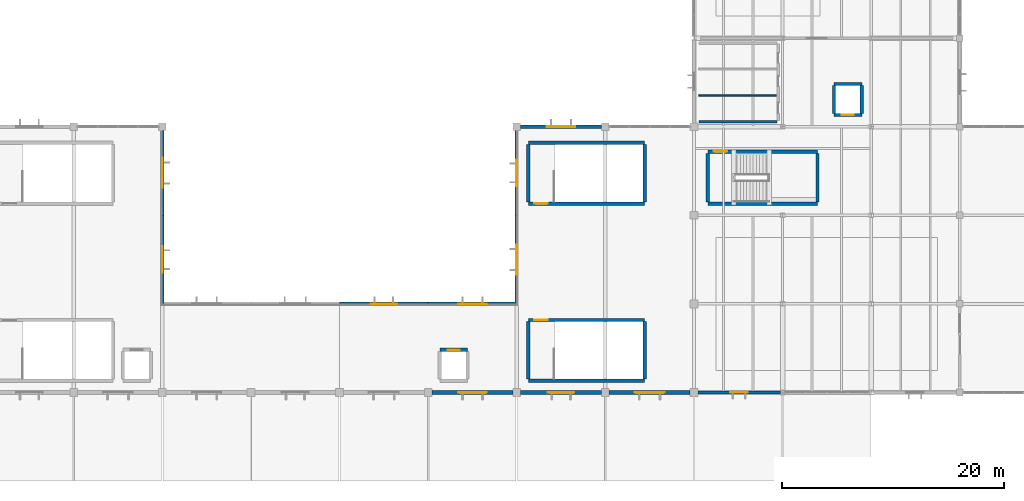
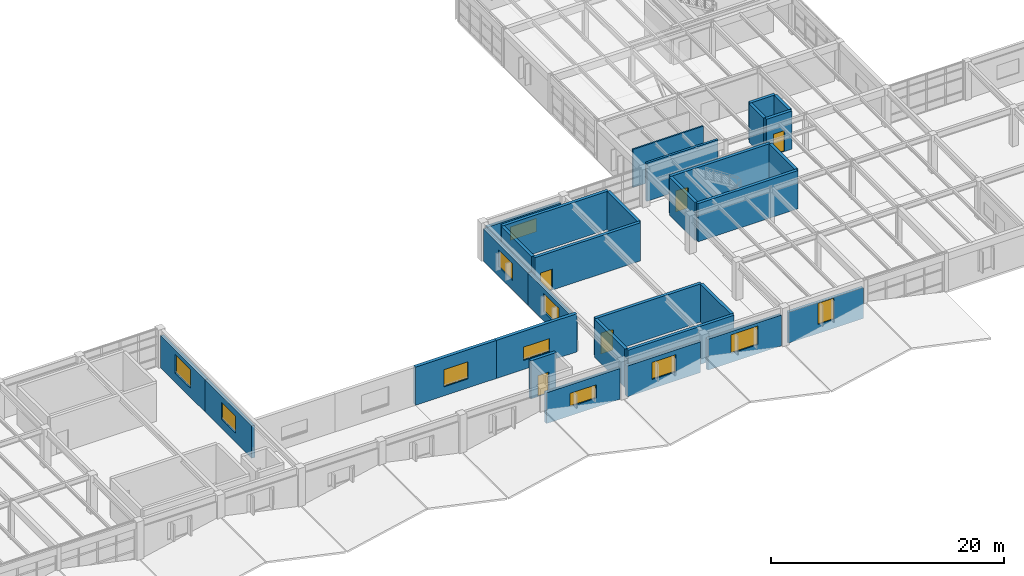
# One storey, part 40 of 48: 30 walls, 11 windows, 5 doors, 16 openings.
"""IFC4 building model written with IfcOpenShell, lengths in metres."""

from ifc_helpers import new_model, si_unit, direction, frame, frame_2d, origin, place, context, subcontext, project, spatial, rectangle, extrude, material, layer, layer_set, type_object, element, fill, save


model = new_model("IFC4")

# Units and contexts
model_context = context("Model", 3, precision=1e-05, world=origin(), true_north=direction((0.0, 1.0)))
body_context = subcontext(model_context, "Body", "Model", "MODEL_VIEW")
ifc_project = project(units=[si_unit("LENGTHUNIT", "METRE"), si_unit("AREAUNIT", "SQUARE_METRE"), si_unit("VOLUMEUNIT", "CUBIC_METRE"), si_unit("PLANEANGLEUNIT", "RADIAN"), si_unit("MASSUNIT", "GRAM", prefix="KILO")], contexts=[model_context])

# Site, building, storey
site_placement = place(None, origin())
site = spatial("IfcSite", under=ifc_project, at=site_placement, CompositionType="ELEMENT")
building_placement = place(site_placement, origin())
building = spatial("IfcBuilding", under=site, at=building_placement, Name="Varnela Railside Interchange", CompositionType="ELEMENT")
storey_placement = place(building_placement, frame((0.0, 0.0, 11.199951171875)))
storey = spatial("IfcBuildingStorey", under=building, at=storey_placement, Name="L02", CompositionType="ELEMENT", Elevation=11.199951171875)

# Wall
ifc_material_1 = material(Name="Gypsum acoustic board")
ifc_layer_1 = layer(ifc_material_1, 0.14990234375)
ifc_layer_set_1 = layer_set([ifc_layer_1], Name="Gypsum acoustic board")
wall_type_1 = type_object("IfcWallType", Name="Acoustic Drywall Partition IW-01", PredefinedType="PARTITIONING", material=ifc_layer_set_1)
wall_1_placement = place(storey_placement, frame((116.449951171875, 64.800048828125, 0.0), z_axis=(0.0, 0.0, 1.0), x_axis=(1.0, 0.0, 0.0)))
element("IfcWall", 1, at=wall_1_placement, inside=storey, type_object=wall_type_1, Name="Acoustic Drywall Partition IW-01 (L02) (WL-0702)", PredefinedType="PARTITIONING", context=body_context, shape_type="SweptSolid", body=[
    extrude(rectangle(XDim=7.0, YDim=0.14990234375, at=frame_2d((3.5, 0.0))), origin(), (0.0, 0.0, 1.0), 4.0),
])

# Wall, opening, window
ifc_material_2 = material(Name="Concrete C40 precast", Category="concrete")
ifc_layer_2 = layer(ifc_material_2, 0.320068359375)
ifc_layer_set_2 = layer_set([ifc_layer_2], Name="Concrete C40 precast")
wall_type_2 = type_object("IfcWallType", Name="Board-Formed Concrete Facade Wall EW-01", PredefinedType="STANDARD", material=ifc_layer_set_2)
wall_2_placement = place(storey_placement, frame((68.0, 61.64990234375, 0.0), z_axis=(0.0, 0.0, 1.0), x_axis=(0.0, -1.0, 0.0)))
wall_2 = element("IfcWall", 2, at=wall_2_placement, inside=storey, type_object=wall_type_2, Name="Board-Formed Concrete Facade Wall EW-01 (L02) (WL-0658)", PredefinedType="STANDARD", context=body_context, shape_type="SweptSolid", body=[
    extrude(rectangle(XDim=7.64990234375, YDim=0.320068359375, at=frame_2d((3.824951171875, 0.0))), origin(), (0.0, 0.0, 1.0), 3.38916015625),
])
opening_1_placement = place(wall_2_placement, frame((2.47509765625, 0.0, 0.949951171875)))
opening_1 = element("IfcOpeningElement", 3, at=opening_1_placement, cuts=wall_2, Name="Opening W-066", PredefinedType="OPENING", context=body_context, shape_type="SweptSolid", body=[
    extrude(rectangle(XDim=2.699951171875, YDim=1.949951171875, at=frame_2d((1.35009765625, 0.97509765625))), frame((0.0, 0.169921875, 0.0), z_axis=(0.0, -1.0, 0.0), x_axis=(1.0, 0.0, 0.0)), (0.0, 0.0, 1.0), 0.340087890625),
])
ifc_material_3 = material(Name="Glass laminated double", Category="glass")
window_type_1 = type_object("IfcWindowType", Name="Sign-On Hall Wide Window WN-19", PartitioningType="SINGLE_PANEL", PredefinedType="WINDOW", material=ifc_material_3)
window_1_placement = place(opening_1_placement, origin())
window_1 = element("IfcWindow", 4, at=window_1_placement, inside=storey, type_object=window_type_1, Name="Window W-066", OverallHeight=1.949951171875, OverallWidth=2.699951171875, PartitioningType="SINGLE_PANEL", PredefinedType="WINDOW", context=body_context, shape_type="SweptSolid", body=[
    extrude(rectangle(XDim=2.699951171875, YDim=1.949951171875, at=frame_2d((1.35009765625, 0.97509765625))), frame((0.0, 0.030029296875, 0.0), z_axis=(0.0, -1.0, 0.0), x_axis=(1.0, 0.0, 0.0)), (0.0, 0.0, 1.0), 0.06005859375),
])
fill(opening_1, window_1)

wall_3_placement = place(storey_placement, frame((68.0, 54.0, 0.0), z_axis=(0.0, 0.0, 1.0), x_axis=(0.0, -1.0, 0.0)))
wall_3 = element("IfcWall", 5, at=wall_3_placement, inside=storey, type_object=wall_type_2, Name="Board-Formed Concrete Facade Wall EW-01 (L02) (WL-0659)", PredefinedType="STANDARD", context=body_context, shape_type="SweptSolid", body=[
    extrude(rectangle(XDim=8.0, YDim=0.320068359375, at=frame_2d((4.0, 0.0))), origin(), (0.0, 0.0, 1.0), 3.38916015625),
])
opening_2_placement = place(wall_3_placement, frame((2.800048828125, 0.0, 0.949951171875)))
opening_2 = element("IfcOpeningElement", 6, at=opening_2_placement, cuts=wall_3, Name="Opening W-067", PredefinedType="OPENING", context=body_context, shape_type="SweptSolid", body=[
    extrude(rectangle(XDim=2.39990234375, YDim=1.800048828125, at=frame_2d((1.199951171875, 0.89990234375))), frame((0.0, 0.169921875, 0.0), z_axis=(0.0, -1.0, 0.0), x_axis=(1.0, 0.0, 0.0)), (0.0, 0.0, 1.0), 0.340087890625),
])
window_type_2 = type_object("IfcWindowType", Name="Concourse Clerestory Window WN-01", PartitioningType="SINGLE_PANEL", PredefinedType="WINDOW", material=ifc_material_3)
window_2_placement = place(opening_2_placement, origin())
window_2 = element("IfcWindow", 7, at=window_2_placement, inside=storey, type_object=window_type_2, Name="Window W-067", OverallHeight=1.800048828125, OverallWidth=2.39990234375, PartitioningType="SINGLE_PANEL", PredefinedType="WINDOW", context=body_context, shape_type="SweptSolid", body=[
    extrude(rectangle(XDim=2.39990234375, YDim=1.800048828125, at=frame_2d((1.199951171875, 0.89990234375))), frame((0.0, 0.030029296875, 0.0), z_axis=(0.0, -1.0, 0.0), x_axis=(1.0, 0.0, 0.0)), (0.0, 0.0, 1.0), 0.06005859375),
])
fill(opening_2, window_2)

wall_4_placement = place(storey_placement, frame((84.0, 46.0, 0.0), z_axis=(0.0, 0.0, 1.0), x_axis=(1.0, 0.0, 0.0)))
wall_4 = element("IfcWall", 8, at=wall_4_placement, inside=storey, type_object=wall_type_2, Name="Board-Formed Concrete Facade Wall EW-01 (L02) (WL-0662)", PredefinedType="STANDARD", context=body_context, shape_type="SweptSolid", body=[
    extrude(rectangle(XDim=8.0, YDim=0.320068359375, at=frame_2d((4.0, 0.0))), origin(), (0.0, 0.0, 1.0), 4.0),
])
opening_3_placement = place(wall_4_placement, frame((2.800048828125, 0.0, 0.949951171875)))
opening_3 = element("IfcOpeningElement", 9, at=opening_3_placement, cuts=wall_4, Name="Opening W-070", PredefinedType="OPENING", context=body_context, shape_type="SweptSolid", body=[
    extrude(rectangle(XDim=2.39990234375, YDim=1.800048828125, at=frame_2d((1.199951171875, 0.89990234375))), frame((0.0, 0.169921875, 0.0), z_axis=(0.0, -1.0, 0.0), x_axis=(1.0, 0.0, 0.0)), (0.0, 0.0, 1.0), 0.340087890625),
])
window_3_placement = place(opening_3_placement, origin())
window_3 = element("IfcWindow", 10, at=window_3_placement, inside=storey, type_object=window_type_2, Name="Window W-070", OverallHeight=1.800048828125, OverallWidth=2.39990234375, PartitioningType="SINGLE_PANEL", PredefinedType="WINDOW", context=body_context, shape_type="SweptSolid", body=[
    extrude(rectangle(XDim=2.39990234375, YDim=1.800048828125, at=frame_2d((1.199951171875, 0.89990234375))), frame((0.0, 0.030029296875, 0.0), z_axis=(0.0, -1.0, 0.0), x_axis=(1.0, 0.0, 0.0)), (0.0, 0.0, 1.0), 0.06005859375),
])
fill(opening_3, window_3)

wall_5_placement = place(storey_placement, frame((92.0, 46.0, 0.0), z_axis=(0.0, 0.0, 1.0), x_axis=(1.0, 0.0, 0.0)))
wall_5 = element("IfcWall", 11, at=wall_5_placement, inside=storey, type_object=wall_type_2, Name="Board-Formed Concrete Facade Wall EW-01 (L02) (WL-0663)", PredefinedType="STANDARD", context=body_context, shape_type="SweptSolid", body=[
    extrude(rectangle(XDim=8.0, YDim=0.320068359375, at=frame_2d((4.0, 0.0))), origin(), (0.0, 0.0, 1.0), 4.0),
])
opening_4_placement = place(wall_5_placement, frame((2.699951171875, 0.0, 0.949951171875)))
opening_4 = element("IfcOpeningElement", 12, at=opening_4_placement, cuts=wall_5, Name="Opening W-071", PredefinedType="OPENING", context=body_context, shape_type="SweptSolid", body=[
    extrude(rectangle(XDim=2.60009765625, YDim=1.39990234375, at=frame_2d((1.300048828125, 0.699951171875))), frame((0.0, 0.169921875, 0.0), z_axis=(0.0, -1.0, 0.0), x_axis=(1.0, 0.0, 0.0)), (0.0, 0.0, 1.0), 0.340087890625),
])
window_type_3 = type_object("IfcWindowType", Name="Gallery Clerestory Strip WN-10", PartitioningType="SINGLE_PANEL", PredefinedType="WINDOW", material=ifc_material_3)
window_4_placement = place(opening_4_placement, origin())
window_4 = element("IfcWindow", 13, at=window_4_placement, inside=storey, type_object=window_type_3, Name="Window W-071", OverallHeight=1.39990234375, OverallWidth=2.60009765625, PartitioningType="SINGLE_PANEL", PredefinedType="WINDOW", context=body_context, shape_type="SweptSolid", body=[
    extrude(rectangle(XDim=2.60009765625, YDim=1.39990234375, at=frame_2d((1.300048828125, 0.699951171875))), frame((0.0, 0.030029296875, 0.0), z_axis=(0.0, -1.0, 0.0), x_axis=(1.0, 0.0, 0.0)), (0.0, 0.0, 1.0), 0.06005859375),
])
fill(opening_4, window_4)

wall_6_placement = place(storey_placement, frame((100.0, 46.0, 0.0), z_axis=(0.0, 0.0, 1.0), x_axis=(0.0, 1.0, 0.0)))
wall_6 = element("IfcWall", 14, at=wall_6_placement, inside=storey, type_object=wall_type_2, Name="Board-Formed Concrete Facade Wall EW-01 (L02) (WL-0664)", PredefinedType="STANDARD", context=body_context, shape_type="SweptSolid", body=[
    extrude(rectangle(XDim=8.0, YDim=0.320068359375, at=frame_2d((4.0, 0.0))), origin(), (0.0, 0.0, 1.0), 3.38916015625),
])
opening_5_placement = place(wall_6_placement, frame((2.64990234375, 0.0, 0.949951171875)))
opening_5 = element("IfcOpeningElement", 15, at=opening_5_placement, cuts=wall_6, Name="Opening W-072", PredefinedType="OPENING", context=body_context, shape_type="SweptSolid", body=[
    extrude(rectangle(XDim=2.699951171875, YDim=1.949951171875, at=frame_2d((1.35009765625, 0.97509765625))), frame((0.0, 0.169921875, 0.0), z_axis=(0.0, -1.0, 0.0), x_axis=(1.0, 0.0, 0.0)), (0.0, 0.0, 1.0), 0.340087890625),
])
window_5_placement = place(opening_5_placement, origin())
window_5 = element("IfcWindow", 16, at=window_5_placement, inside=storey, type_object=window_type_1, Name="Window W-072", OverallHeight=1.949951171875, OverallWidth=2.699951171875, PartitioningType="SINGLE_PANEL", PredefinedType="WINDOW", context=body_context, shape_type="SweptSolid", body=[
    extrude(rectangle(XDim=2.699951171875, YDim=1.949951171875, at=frame_2d((1.35009765625, 0.97509765625))), frame((0.0, 0.030029296875, 0.0), z_axis=(0.0, -1.0, 0.0), x_axis=(1.0, 0.0, 0.0)), (0.0, 0.0, 1.0), 0.06005859375),
])
fill(opening_5, window_5)

wall_7_placement = place(storey_placement, frame((100.0, 54.0, 0.0), z_axis=(0.0, 0.0, 1.0), x_axis=(0.0, 1.0, 0.0)))
wall_7 = element("IfcWall", 17, at=wall_7_placement, inside=storey, type_object=wall_type_2, Name="Board-Formed Concrete Facade Wall EW-01 (L02) (WL-0665)", PredefinedType="STANDARD", context=body_context, shape_type="SweptSolid", body=[
    extrude(rectangle(XDim=7.64990234375, YDim=0.320068359375, at=frame_2d((3.824951171875, 0.0))), origin(), (0.0, 0.0, 1.0), 3.38916015625),
])
opening_6_placement = place(wall_7_placement, frame((2.625, 0.0, 0.949951171875)))
opening_6 = element("IfcOpeningElement", 18, at=opening_6_placement, cuts=wall_7, Name="Opening W-073", PredefinedType="OPENING", context=body_context, shape_type="SweptSolid", body=[
    extrude(rectangle(XDim=2.39990234375, YDim=1.800048828125, at=frame_2d((1.199951171875, 0.89990234375))), frame((0.0, 0.169921875, 0.0), z_axis=(0.0, -1.0, 0.0), x_axis=(1.0, 0.0, 0.0)), (0.0, 0.0, 1.0), 0.340087890625),
])
window_6_placement = place(opening_6_placement, origin())
window_6 = element("IfcWindow", 19, at=window_6_placement, inside=storey, type_object=window_type_2, Name="Window W-073", OverallHeight=1.800048828125, OverallWidth=2.39990234375, PartitioningType="SINGLE_PANEL", PredefinedType="WINDOW", context=body_context, shape_type="SweptSolid", body=[
    extrude(rectangle(XDim=2.39990234375, YDim=1.800048828125, at=frame_2d((1.199951171875, 0.89990234375))), frame((0.0, 0.030029296875, 0.0), z_axis=(0.0, -1.0, 0.0), x_axis=(1.0, 0.0, 0.0)), (0.0, 0.0, 1.0), 0.06005859375),
])
fill(opening_6, window_6)

wall_8_placement = place(storey_placement, frame((100.35009765625, 62.0, 0.0), z_axis=(0.0, 0.0, 1.0), x_axis=(1.0, 0.0, 0.0)))
wall_8 = element("IfcWall", 20, at=wall_8_placement, inside=storey, type_object=wall_type_2, Name="Board-Formed Concrete Facade Wall EW-01 (L02) (WL-0666)", PredefinedType="STANDARD", context=body_context, shape_type="SweptSolid", body=[
    extrude(rectangle(XDim=7.2998046875, YDim=0.320068359375, at=frame_2d((3.64990234375, 0.0))), origin(), (0.0, 0.0, 1.0), 3.22998046875),
])
opening_7_placement = place(wall_8_placement, frame((2.35009765625, 0.0, 0.949951171875)))
opening_7 = element("IfcOpeningElement", 21, at=opening_7_placement, cuts=wall_8, Name="Opening W-074", PredefinedType="OPENING", context=body_context, shape_type="SweptSolid", body=[
    extrude(rectangle(XDim=2.60009765625, YDim=1.39990234375, at=frame_2d((1.300048828125, 0.699951171875))), frame((0.0, 0.169921875, 0.0), z_axis=(0.0, -1.0, 0.0), x_axis=(1.0, 0.0, 0.0)), (0.0, 0.0, 1.0), 0.340087890625),
])
window_7_placement = place(opening_7_placement, origin())
window_7 = element("IfcWindow", 22, at=window_7_placement, inside=storey, type_object=window_type_3, Name="Window W-074", OverallHeight=1.39990234375, OverallWidth=2.60009765625, PartitioningType="SINGLE_PANEL", PredefinedType="WINDOW", context=body_context, shape_type="SweptSolid", body=[
    extrude(rectangle(XDim=2.60009765625, YDim=1.39990234375, at=frame_2d((1.300048828125, 0.699951171875))), frame((0.0, 0.030029296875, 0.0), z_axis=(0.0, -1.0, 0.0), x_axis=(1.0, 0.0, 0.0)), (0.0, 0.0, 1.0), 0.06005859375),
])
fill(opening_7, window_7)

wall_9_placement = place(storey_placement, frame((115.64990234375, 38.0, 0.0), z_axis=(0.0, 0.0, 1.0), x_axis=(-1.0, 0.0, 0.0)))
wall_9 = element("IfcWall", 23, at=wall_9_placement, inside=storey, type_object=wall_type_2, Name="Board-Formed Concrete Facade Wall EW-01 (L02) (WL-0680)", PredefinedType="STANDARD", context=body_context, shape_type="SweptSolid", body=[
    extrude(rectangle(XDim=7.2998046875, YDim=0.320068359375, at=frame_2d((3.64990234375, 0.0))), origin(), (0.0, 0.0, 1.0), 3.22998046875),
])
opening_8_placement = place(wall_9_placement, frame((2.300048828125, 0.0, 0.949951171875)))
opening_8 = element("IfcOpeningElement", 24, at=opening_8_placement, cuts=wall_9, Name="Opening W-087", PredefinedType="OPENING", context=body_context, shape_type="SweptSolid", body=[
    extrude(rectangle(XDim=2.699951171875, YDim=1.949951171875, at=frame_2d((1.35009765625, 0.97509765625))), frame((0.0, 0.169921875, 0.0), z_axis=(0.0, -1.0, 0.0), x_axis=(1.0, 0.0, 0.0)), (0.0, 0.0, 1.0), 0.340087890625),
])
window_8_placement = place(opening_8_placement, origin())
window_8 = element("IfcWindow", 25, at=window_8_placement, inside=storey, type_object=window_type_1, Name="Window W-087", OverallHeight=1.949951171875, OverallWidth=2.699951171875, PartitioningType="SINGLE_PANEL", PredefinedType="WINDOW", context=body_context, shape_type="SweptSolid", body=[
    extrude(rectangle(XDim=2.699951171875, YDim=1.949951171875, at=frame_2d((1.35009765625, 0.97509765625))), frame((0.0, 0.030029296875, 0.0), z_axis=(0.0, -1.0, 0.0), x_axis=(1.0, 0.0, 0.0)), (0.0, 0.0, 1.0), 0.06005859375),
])
fill(opening_8, window_8)

wall_10_placement = place(storey_placement, frame((107.64990234375, 38.0, 0.0), z_axis=(0.0, 0.0, 1.0), x_axis=(-1.0, 0.0, 0.0)))
wall_10 = element("IfcWall", 26, at=wall_10_placement, inside=storey, type_object=wall_type_2, Name="Board-Formed Concrete Facade Wall EW-01 (L02) (WL-0681)", PredefinedType="STANDARD", context=body_context, shape_type="SweptSolid", body=[
    extrude(rectangle(XDim=7.2998046875, YDim=0.320068359375, at=frame_2d((3.64990234375, 0.0))), origin(), (0.0, 0.0, 1.0), 3.22998046875),
])
opening_9_placement = place(wall_10_placement, frame((2.449951171875, 0.0, 0.949951171875)))
opening_9 = element("IfcOpeningElement", 27, at=opening_9_placement, cuts=wall_10, Name="Opening W-088", PredefinedType="OPENING", context=body_context, shape_type="SweptSolid", body=[
    extrude(rectangle(XDim=2.39990234375, YDim=1.800048828125, at=frame_2d((1.199951171875, 0.89990234375))), frame((0.0, 0.169921875, 0.0), z_axis=(0.0, -1.0, 0.0), x_axis=(1.0, 0.0, 0.0)), (0.0, 0.0, 1.0), 0.340087890625),
])
window_9_placement = place(opening_9_placement, origin())
window_9 = element("IfcWindow", 28, at=window_9_placement, inside=storey, type_object=window_type_2, Name="Window W-088", OverallHeight=1.800048828125, OverallWidth=2.39990234375, PartitioningType="SINGLE_PANEL", PredefinedType="WINDOW", context=body_context, shape_type="SweptSolid", body=[
    extrude(rectangle(XDim=2.39990234375, YDim=1.800048828125, at=frame_2d((1.199951171875, 0.89990234375))), frame((0.0, 0.030029296875, 0.0), z_axis=(0.0, -1.0, 0.0), x_axis=(1.0, 0.0, 0.0)), (0.0, 0.0, 1.0), 0.06005859375),
])
fill(opening_9, window_9)

wall_11_placement = place(storey_placement, frame((99.64990234375, 38.0, 0.0), z_axis=(0.0, 0.0, 1.0), x_axis=(-1.0, 0.0, 0.0)))
wall_11 = element("IfcWall", 29, at=wall_11_placement, inside=storey, type_object=wall_type_2, Name="Board-Formed Concrete Facade Wall EW-01 (L02) (WL-0682)", PredefinedType="STANDARD", context=body_context, shape_type="SweptSolid", body=[
    extrude(rectangle(XDim=7.2998046875, YDim=0.320068359375, at=frame_2d((3.64990234375, 0.0))), origin(), (0.0, 0.0, 1.0), 3.22998046875),
])
opening_10_placement = place(wall_11_placement, frame((2.35009765625, 0.0, 0.949951171875)))
opening_10 = element("IfcOpeningElement", 30, at=opening_10_placement, cuts=wall_11, Name="Opening W-089", PredefinedType="OPENING", context=body_context, shape_type="SweptSolid", body=[
    extrude(rectangle(XDim=2.60009765625, YDim=1.39990234375, at=frame_2d((1.300048828125, 0.699951171875))), frame((0.0, 0.169921875, 0.0), z_axis=(0.0, -1.0, 0.0), x_axis=(1.0, 0.0, 0.0)), (0.0, 0.0, 1.0), 0.340087890625),
])
window_10_placement = place(opening_10_placement, origin())
window_10 = element("IfcWindow", 31, at=window_10_placement, inside=storey, type_object=window_type_3, Name="Window W-089", OverallHeight=1.39990234375, OverallWidth=2.60009765625, PartitioningType="SINGLE_PANEL", PredefinedType="WINDOW", context=body_context, shape_type="SweptSolid", body=[
    extrude(rectangle(XDim=2.60009765625, YDim=1.39990234375, at=frame_2d((1.300048828125, 0.699951171875))), frame((0.0, 0.030029296875, 0.0), z_axis=(0.0, -1.0, 0.0), x_axis=(1.0, 0.0, 0.0)), (0.0, 0.0, 1.0), 0.06005859375),
])
fill(opening_10, window_10)

# Wall
ifc_material_4 = material(Name="Masonry concrete block", Category="masonry")
ifc_layer_3 = layer(ifc_material_4, 0.2099609375)
ifc_layer_set_3 = layer_set([ifc_layer_3], Name="Masonry concrete block")
wall_type_3 = type_object("IfcWallType", Name="Sanitary Plumbing Chase Wall IW-04", PredefinedType="PLUMBINGWALL", material=ifc_layer_set_3)
wall_12_placement = place(storey_placement, frame((116.449951171875, 62.449951171875, 0.0), z_axis=(0.0, 0.0, 1.0), x_axis=(1.0, 0.0, 0.0)))
element("IfcWall", 32, at=wall_12_placement, inside=storey, type_object=wall_type_3, Name="Sanitary Plumbing Chase Wall IW-04 (L02) (WL-0706)", PredefinedType="PLUMBINGWALL", context=body_context, shape_type="SweptSolid", body=[
    extrude(rectangle(XDim=7.050048828125, YDim=0.219970703125, at=frame_2d((3.52490234375, 0.0))), origin(), (0.0, 0.0, 1.0), 4.0),
])

# Wall, opening, door
ifc_material_5 = material(Name="Concrete C50", Category="concrete")
ifc_layer_4 = layer(ifc_material_5, 0.300048828125)
ifc_layer_set_4 = layer_set([ifc_layer_4], Name="Concrete C50")
wall_type_4 = type_object("IfcWallType", Name="Stair & Lift Shaft Wall SW-03", PredefinedType="SHEAR", material=ifc_layer_set_4)
wall_13_placement = place(storey_placement, frame((117.25, 59.75, 0.0), z_axis=(0.0, 0.0, 1.0), x_axis=(1.0, 0.0, 0.0)))
wall_13 = element("IfcWall", 33, at=wall_13_placement, inside=storey, type_object=wall_type_4, Name="Stair & Lift Shaft Wall SW-03 (L02) (WL-0743)", PredefinedType="SHEAR", context=body_context, shape_type="SweptSolid", body=[
    extrude(rectangle(XDim=9.89990234375, YDim=0.300048828125, at=frame_2d((4.949951171875, 0.0))), origin(), (0.0, 0.0, 1.0), 4.0),
])
opening_11_placement = place(wall_13_placement, frame((0.550048828125, 0.0, 0.0)))
opening_11 = element("IfcOpeningElement", 34, at=opening_11_placement, cuts=wall_13, Name="Opening D-216", PredefinedType="OPENING", context=body_context, shape_type="SweptSolid", body=[
    extrude(rectangle(XDim=1.199951171875, YDim=2.199951171875, at=frame_2d((0.60009765625, 1.10009765625))), frame((0.0, 0.159912109375, 0.0), z_axis=(0.0, -1.0, 0.0), x_axis=(1.0, 0.0, 0.0)), (0.0, 0.0, 1.0), 0.320068359375),
])
ifc_material_6 = material(Name="Steel AR 350 (350 MPa)", Category="steel")
door_type_1 = type_object("IfcDoorType", Name="DR-SGL-1200-FD90", OperationType="NOTDEFINED", PredefinedType="DOOR", material=ifc_material_6)
door_1_placement = place(opening_11_placement, frame((1.199951171875, 0.0, 0.0), z_axis=(0.0, 0.0, 1.0), x_axis=(-1.0, 0.0, 0.0)))
door_1 = element("IfcDoor", 35, at=door_1_placement, inside=storey, type_object=door_type_1, Name="Door D-216", OperationType="SINGLE_SWING_LEFT", OverallHeight=2.199951171875, OverallWidth=1.199951171875, PredefinedType="DOOR", context=body_context, shape_type="SweptSolid", body=[
    extrude(rectangle(XDim=1.199951171875, YDim=2.199951171875, at=frame_2d((0.60009765625, 1.10009765625))), frame((0.0, 0.02490234375, 0.0), z_axis=(0.0, -1.0, 0.0), x_axis=(1.0, 0.0, 0.0)), (0.0, 0.0, 1.0), 0.050048828125),
])
fill(opening_11, door_1)

# Walls
wall_14_placement = place(storey_placement, frame((117.25, 55.050048828125, 0.0), z_axis=(0.0, 0.0, 1.0), x_axis=(1.0, 0.0, 0.0)))
element("IfcWall", 36, at=wall_14_placement, inside=storey, type_object=wall_type_4, Name="Stair & Lift Shaft Wall SW-03 (L02) (WL-0744)", PredefinedType="SHEAR", context=body_context, shape_type="SweptSolid", body=[
    extrude(rectangle(XDim=9.89990234375, YDim=0.300048828125, at=frame_2d((4.949951171875, 0.0))), origin(), (0.0, 0.0, 1.0), 4.0),
])
for number, where, z_axis, x_axis, name in (
    (37, (117.25, 55.199951171875, 0.0), (0.0, 0.0, 1.0), (0.0, 1.0, 0.0), "Stair & Lift Shaft Wall SW-03 (L02) (WL-0745)"),
    (38, (127.14990234375, 55.199951171875, 0.0), (0.0, 0.0, 1.0), (0.0, 1.0, 0.0), "Stair & Lift Shaft Wall SW-03 (L02) (WL-0742)"),
):
    element("IfcWall", number, at=place(storey_placement, frame(where, z_axis=z_axis, x_axis=x_axis)), inside=storey, type_object=wall_type_4, Name=name, PredefinedType="SHEAR", context=body_context, shape_type="SweptSolid", body=[
        extrude(rectangle(XDim=4.400146484375, YDim=0.300048828125, at=frame_2d((2.2001953125, 0.0))), origin(), (0.0, 0.0, 1.0), 4.0),
    ])

# Wall, opening, door
wall_15_placement = place(storey_placement, frame((101.050048828125, 44.550048828125, 0.0), z_axis=(0.0, 0.0, 1.0), x_axis=(1.0, 0.0, 0.0)))
wall_15 = element("IfcWall", 39, at=wall_15_placement, inside=storey, type_object=wall_type_4, Name="Stair & Lift Shaft Wall SW-03 (L02) (WL-0731)", PredefinedType="SHEAR", context=body_context, shape_type="SweptSolid", body=[
    extrude(rectangle(XDim=10.5, YDim=0.300048828125, at=frame_2d((5.25, 0.0))), origin(), (0.0, 0.0, 1.0), 4.0),
])
opening_12_placement = place(wall_15_placement, frame((0.550048828125, 0.0, 0.0)))
opening_12 = element("IfcOpeningElement", 40, at=opening_12_placement, cuts=wall_15, Name="Opening D-220", PredefinedType="OPENING", context=body_context, shape_type="SweptSolid", body=[
    extrude(rectangle(XDim=1.199951171875, YDim=2.199951171875, at=frame_2d((0.60009765625, 1.10009765625))), frame((0.0, 0.159912109375, 0.0), z_axis=(0.0, -1.0, 0.0), x_axis=(1.0, 0.0, 0.0)), (0.0, 0.0, 1.0), 0.320068359375),
])
door_2_placement = place(opening_12_placement, frame((1.199951171875, 0.0, 0.0), z_axis=(0.0, 0.0, 1.0), x_axis=(-1.0, 0.0, 0.0)))
door_2 = element("IfcDoor", 41, at=door_2_placement, inside=storey, type_object=door_type_1, Name="Door D-220", OperationType="SINGLE_SWING_LEFT", OverallHeight=2.199951171875, OverallWidth=1.199951171875, PredefinedType="DOOR", context=body_context, shape_type="SweptSolid", body=[
    extrude(rectangle(XDim=1.199951171875, YDim=2.199951171875, at=frame_2d((0.60009765625, 1.10009765625))), frame((0.0, 0.02490234375, 0.0), z_axis=(0.0, -1.0, 0.0), x_axis=(1.0, 0.0, 0.0)), (0.0, 0.0, 1.0), 0.050048828125),
])
fill(opening_12, door_2)

# Walls
wall_16_placement = place(storey_placement, frame((101.050048828125, 39.050048828125, 0.0), z_axis=(0.0, 0.0, 1.0), x_axis=(1.0, 0.0, 0.0)))
element("IfcWall", 42, at=wall_16_placement, inside=storey, type_object=wall_type_4, Name="Stair & Lift Shaft Wall SW-03 (L02) (WL-0732)", PredefinedType="SHEAR", context=body_context, shape_type="SweptSolid", body=[
    extrude(rectangle(XDim=10.5, YDim=0.300048828125, at=frame_2d((5.25, 0.0))), origin(), (0.0, 0.0, 1.0), 4.0),
])
for number, where, z_axis, x_axis, name in (
    (43, (101.050048828125, 39.199951171875, 0.0), (0.0, 0.0, 1.0), (0.0, 1.0, 0.0), "Stair & Lift Shaft Wall SW-03 (L02) (WL-0733)"),
    (44, (111.550048828125, 39.199951171875, 0.0), (0.0, 0.0, 1.0), (0.0, 1.0, 0.0), "Stair & Lift Shaft Wall SW-03 (L02) (WL-0730)"),
):
    element("IfcWall", number, at=place(storey_placement, frame(where, z_axis=z_axis, x_axis=x_axis)), inside=storey, type_object=wall_type_4, Name=name, PredefinedType="SHEAR", context=body_context, shape_type="SweptSolid", body=[
        extrude(rectangle(XDim=5.199951171875, YDim=0.300048828125, at=frame_2d((2.60009765625, 0.0))), origin(), (0.0, 0.0, 1.0), 4.0),
    ])
wall_17_placement = place(storey_placement, frame((101.050048828125, 60.550048828125, 0.0), z_axis=(0.0, 0.0, 1.0), x_axis=(1.0, 0.0, 0.0)))
element("IfcWall", 45, at=wall_17_placement, inside=storey, type_object=wall_type_4, Name="Stair & Lift Shaft Wall SW-03 (L02) (WL-0739)", PredefinedType="SHEAR", context=body_context, shape_type="SweptSolid", body=[
    extrude(rectangle(XDim=10.5, YDim=0.300048828125, at=frame_2d((5.25, 0.0))), origin(), (0.0, 0.0, 1.0), 4.0),
])

# Wall, opening, door
wall_18_placement = place(storey_placement, frame((101.050048828125, 55.050048828125, 0.0), z_axis=(0.0, 0.0, 1.0), x_axis=(1.0, 0.0, 0.0)))
wall_18 = element("IfcWall", 46, at=wall_18_placement, inside=storey, type_object=wall_type_4, Name="Stair & Lift Shaft Wall SW-03 (L02) (WL-0740)", PredefinedType="SHEAR", context=body_context, shape_type="SweptSolid", body=[
    extrude(rectangle(XDim=10.5, YDim=0.300048828125, at=frame_2d((5.25, 0.0))), origin(), (0.0, 0.0, 1.0), 4.0),
])
opening_13_placement = place(wall_18_placement, frame((0.550048828125, 0.0, 0.0)))
opening_13 = element("IfcOpeningElement", 47, at=opening_13_placement, cuts=wall_18, Name="Opening D-222", PredefinedType="OPENING", context=body_context, shape_type="SweptSolid", body=[
    extrude(rectangle(XDim=1.199951171875, YDim=2.199951171875, at=frame_2d((0.60009765625, 1.10009765625))), frame((0.0, 0.159912109375, 0.0), z_axis=(0.0, -1.0, 0.0), x_axis=(1.0, 0.0, 0.0)), (0.0, 0.0, 1.0), 0.320068359375),
])
door_3_placement = place(opening_13_placement, origin())
door_3 = element("IfcDoor", 48, at=door_3_placement, inside=storey, type_object=door_type_1, Name="Door D-222", OperationType="SINGLE_SWING_LEFT", OverallHeight=2.199951171875, OverallWidth=1.199951171875, PredefinedType="DOOR", context=body_context, shape_type="SweptSolid", body=[
    extrude(rectangle(XDim=1.199951171875, YDim=2.199951171875, at=frame_2d((0.60009765625, 1.10009765625))), frame((0.0, 0.02490234375, 0.0), z_axis=(0.0, -1.0, 0.0), x_axis=(1.0, 0.0, 0.0)), (0.0, 0.0, 1.0), 0.050048828125),
])
fill(opening_13, door_3)

# Walls
for number, where, z_axis, x_axis, name in (
    (49, (101.050048828125, 55.199951171875, 0.0), (0.0, 0.0, 1.0), (0.0, 1.0, 0.0), "Stair & Lift Shaft Wall SW-03 (L02) (WL-0741)"),
    (50, (111.550048828125, 55.199951171875, 0.0), (0.0, 0.0, 1.0), (0.0, 1.0, 0.0), "Stair & Lift Shaft Wall SW-03 (L02) (WL-0738)"),
):
    element("IfcWall", number, at=place(storey_placement, frame(where, z_axis=z_axis, x_axis=x_axis)), inside=storey, type_object=wall_type_4, Name=name, PredefinedType="SHEAR", context=body_context, shape_type="SweptSolid", body=[
        extrude(rectangle(XDim=5.199951171875, YDim=0.300048828125, at=frame_2d((2.60009765625, 0.0))), origin(), (0.0, 0.0, 1.0), 4.0),
    ])

# Wall, opening, door
wall_19_placement = place(storey_placement, frame((93.050048828125, 41.85009765625, 0.0), z_axis=(0.0, 0.0, 1.0), x_axis=(1.0, 0.0, 0.0)))
wall_19 = element("IfcWall", 51, at=wall_19_placement, inside=storey, type_object=wall_type_4, Name="Stair & Lift Shaft Wall SW-03 (L02) (WL-0719)", PredefinedType="SHEAR", context=body_context, shape_type="SweptSolid", body=[
    extrude(rectangle(XDim=2.5, YDim=0.300048828125, at=frame_2d((1.25, 0.0))), origin(), (0.0, 0.0, 1.0), 4.0),
])
opening_14_placement = place(wall_19_placement, frame((0.699951171875, 0.0, 0.0)))
opening_14 = element("IfcOpeningElement", 52, at=opening_14_placement, cuts=wall_19, Name="Opening LD-053", PredefinedType="OPENING", context=body_context, shape_type="SweptSolid", body=[
    extrude(rectangle(XDim=1.080078125, YDim=2.199951171875, at=frame_2d((0.5400390625, 1.10009765625))), frame((0.0, 0.159912109375, 0.0), z_axis=(0.0, -1.0, 0.0), x_axis=(1.0, 0.0, 0.0)), (0.0, 0.0, 1.0), 0.320068359375),
])
door_type_2 = type_object("IfcDoorType", Name="DR-LIFT-1080", OperationType="SLIDING_TO_LEFT", PredefinedType="DOOR", material=ifc_material_6)
door_4_placement = place(opening_14_placement, origin())
door_4 = element("IfcDoor", 53, at=door_4_placement, inside=storey, type_object=door_type_2, Name="Door LD-053", OperationType="SLIDING_TO_LEFT", OverallHeight=2.199951171875, OverallWidth=1.080078125, PredefinedType="DOOR", context=body_context, shape_type="SweptSolid", body=[
    extrude(rectangle(XDim=1.080078125, YDim=2.199951171875, at=frame_2d((0.5400390625, 1.10009765625))), frame((0.0, 0.02490234375, 0.0), z_axis=(0.0, -1.0, 0.0), x_axis=(1.0, 0.0, 0.0)), (0.0, 0.0, 1.0), 0.050048828125),
])
fill(opening_14, door_4)

# Wall
wall_20_placement = place(storey_placement, frame((128.64990234375, 65.85009765625, 0.0), z_axis=(0.0, 0.0, 1.0), x_axis=(1.0, 0.0, 0.0)))
element("IfcWall", 54, at=wall_20_placement, inside=storey, type_object=wall_type_4, Name="Stair & Lift Shaft Wall SW-03 (L02) (WL-0723)", PredefinedType="SHEAR", context=body_context, shape_type="SweptSolid", body=[
    extrude(rectangle(XDim=2.5, YDim=0.300048828125, at=frame_2d((1.25, 0.0))), origin(), (0.0, 0.0, 1.0), 4.0),
])

# Wall, opening, door
wall_21_placement = place(storey_placement, frame((128.64990234375, 63.050048828125, 0.0), z_axis=(0.0, 0.0, 1.0), x_axis=(1.0, 0.0, 0.0)))
wall_21 = element("IfcWall", 55, at=wall_21_placement, inside=storey, type_object=wall_type_4, Name="Stair & Lift Shaft Wall SW-03 (L02) (WL-0724)", PredefinedType="SHEAR", context=body_context, shape_type="SweptSolid", body=[
    extrude(rectangle(XDim=2.5, YDim=0.300048828125, at=frame_2d((1.25, 0.0))), origin(), (0.0, 0.0, 1.0), 4.0),
])
opening_15_placement = place(wall_21_placement, frame((0.699951171875, 0.0, 0.0)))
opening_15 = element("IfcOpeningElement", 56, at=opening_15_placement, cuts=wall_21, Name="Opening LD-054", PredefinedType="OPENING", context=body_context, shape_type="SweptSolid", body=[
    extrude(rectangle(XDim=1.080078125, YDim=2.199951171875, at=frame_2d((0.5400390625, 1.10009765625))), frame((0.0, 0.159912109375, 0.0), z_axis=(0.0, -1.0, 0.0), x_axis=(1.0, 0.0, 0.0)), (0.0, 0.0, 1.0), 0.320068359375),
])
door_5_placement = place(opening_15_placement, origin())
door_5 = element("IfcDoor", 57, at=door_5_placement, inside=storey, type_object=door_type_2, Name="Door LD-054", OperationType="SLIDING_TO_LEFT", OverallHeight=2.199951171875, OverallWidth=1.080078125, PredefinedType="DOOR", context=body_context, shape_type="SweptSolid", body=[
    extrude(rectangle(XDim=1.080078125, YDim=2.199951171875, at=frame_2d((0.5400390625, 1.10009765625))), frame((0.0, 0.02490234375, 0.0), z_axis=(0.0, -1.0, 0.0), x_axis=(1.0, 0.0, 0.0)), (0.0, 0.0, 1.0), 0.050048828125),
])
fill(opening_15, door_5)

# Walls
for number, where, z_axis, x_axis, name in (
    (58, (128.64990234375, 63.199951171875, 0.0), (0.0, 0.0, 1.0), (0.0, 1.0, 0.0), "Stair & Lift Shaft Wall SW-03 (L02) (WL-0725)"),
    (59, (131.14990234375, 63.199951171875, 0.0), (0.0, 0.0, 1.0), (0.0, 1.0, 0.0), "Stair & Lift Shaft Wall SW-03 (L02) (WL-0722)"),
):
    element("IfcWall", number, at=place(storey_placement, frame(where, z_axis=z_axis, x_axis=x_axis)), inside=storey, type_object=wall_type_4, Name=name, PredefinedType="SHEAR", context=body_context, shape_type="SweptSolid", body=[
        extrude(rectangle(XDim=2.5, YDim=0.300048828125, at=frame_2d((1.25, 0.0))), origin(), (0.0, 0.0, 1.0), 4.0),
    ])

# Wall, opening, window
ifc_layer_5 = layer(ifc_material_2, 0.260009765625)
ifc_layer_set_5 = layer_set([ifc_layer_5], Name="Concrete C40 precast")
wall_type_5 = type_object("IfcWallType", Name="Terracotta Precast Study Facade Wall EW-03", PredefinedType="STANDARD", material=ifc_layer_set_5)
wall_22_placement = place(storey_placement, frame((123.802978515625, 38.0, 0.0), z_axis=(0.0, 0.0, 1.0), x_axis=(-1.0, 0.0, 0.0)))
wall_22 = element("IfcWall", 60, at=wall_22_placement, inside=storey, type_object=wall_type_5, Name="Terracotta Precast Study Facade Wall EW-03 (L02) (WL-0679)", PredefinedType="STANDARD", context=body_context, shape_type="SweptSolid", body=[
    extrude(rectangle(XDim=7.452880859375, YDim=0.260009765625, at=frame_2d((3.7265625, 0.0))), origin(), (0.0, 0.0, 1.0), 3.25),
])
opening_16_placement = place(wall_22_placement, frame((2.926513671875, 0.0, 0.949951171875)))
opening_16 = element("IfcOpeningElement", 61, at=opening_16_placement, cuts=wall_22, Name="Opening W-086", PredefinedType="OPENING", context=body_context, shape_type="SweptSolid", body=[
    extrude(rectangle(XDim=1.60009765625, YDim=2.199951171875, at=frame_2d((0.800048828125, 1.10009765625))), frame((0.0, 0.139892578125, 0.0), z_axis=(0.0, -1.0, 0.0), x_axis=(1.0, 0.0, 0.0)), (0.0, 0.0, 1.0), 0.280029296875),
])
window_type_4 = type_object("IfcWindowType", Name="Study Pavilion Tall Window WN-03", PartitioningType="SINGLE_PANEL", PredefinedType="WINDOW", material=ifc_material_3)
window_11_placement = place(opening_16_placement, origin())
window_11 = element("IfcWindow", 62, at=window_11_placement, inside=storey, type_object=window_type_4, Name="Window W-086", OverallHeight=2.199951171875, OverallWidth=1.60009765625, PartitioningType="SINGLE_PANEL", PredefinedType="WINDOW", context=body_context, shape_type="SweptSolid", body=[
    extrude(rectangle(XDim=1.60009765625, YDim=2.199951171875, at=frame_2d((0.800048828125, 1.10009765625))), frame((0.0, 0.030029296875, 0.0), z_axis=(0.0, -1.0, 0.0), x_axis=(1.0, 0.0, 0.0)), (0.0, 0.0, 1.0), 0.06005859375),
])
fill(opening_16, window_11)

save(model, "model.ifc")
